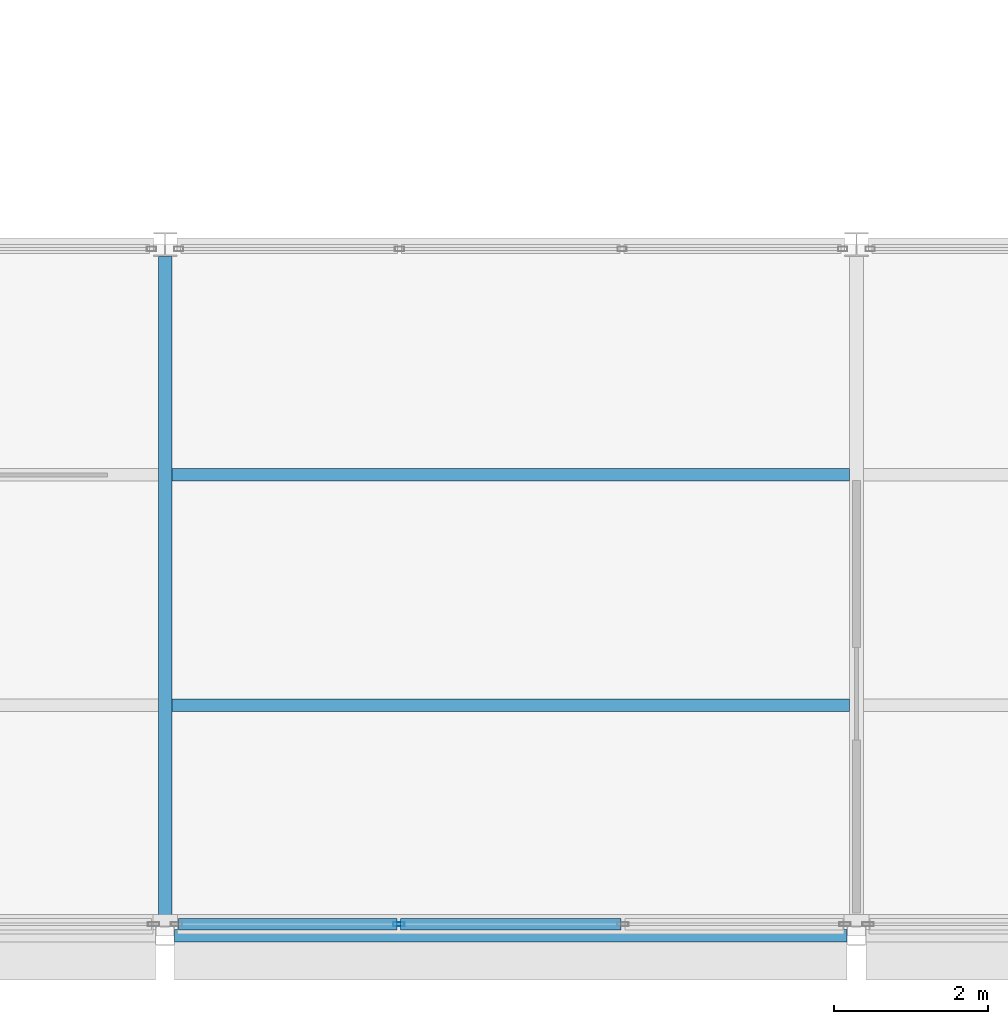
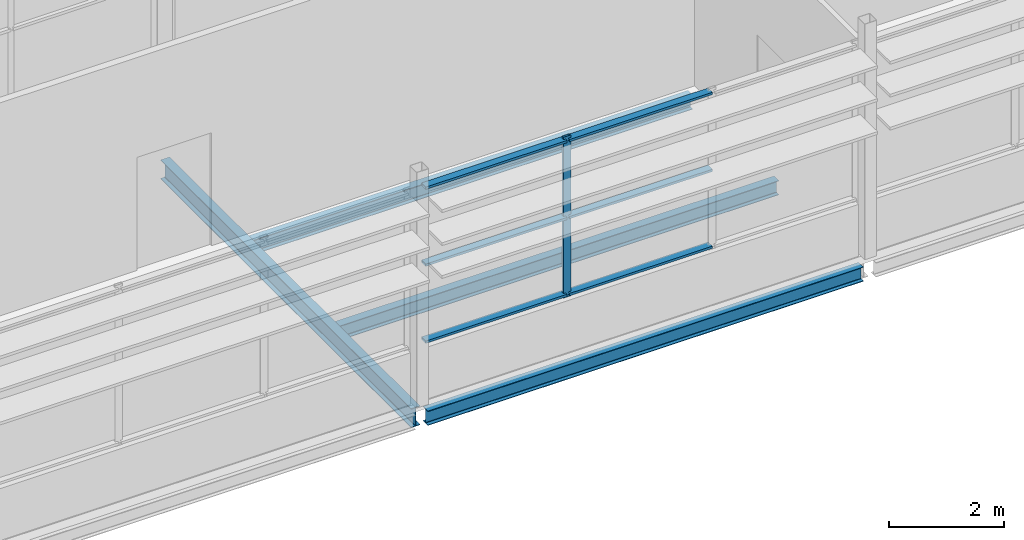
# One storey, part 16 of 94: 7 members, 4 beams, 1 element without a shape of its own.
"""IFC4 building model written with IfcOpenShell, lengths in metres."""

from ifc_helpers import new_model, si_unit, direction, frame, origin, origin_2d, place, context, subcontext, project, spatial, hollow_rectangle, i_section, extrude, material, layer, layer_set, material_profile, profile_set, type_object, element, aggregate, save


model = new_model("IFC4")

# Units and contexts
model_context = context("Model", 3, precision=1e-05, world=origin(), true_north=direction((0.0, 1.0)))
body_context = subcontext(model_context, "Body", "Model", "MODEL_VIEW")
ifc_project = project(units=[si_unit("LENGTHUNIT", "METRE"), si_unit("AREAUNIT", "SQUARE_METRE"), si_unit("VOLUMEUNIT", "CUBIC_METRE"), si_unit("PLANEANGLEUNIT", "RADIAN"), si_unit("MASSUNIT", "GRAM", prefix="KILO")], contexts=[model_context])

# Site, building, storey
site_placement = place(None, origin())
site = spatial("IfcSite", under=ifc_project, at=site_placement, CompositionType="ELEMENT")
building_placement = place(site_placement, origin())
building = spatial("IfcBuilding", under=site, at=building_placement, Name="Shorebreak Coast Museum", CompositionType="ELEMENT")
storey_placement = place(building_placement, frame((0.0, 0.0, 31.0)))
storey = spatial("IfcBuildingStorey", under=building, at=storey_placement, Name="L05", CompositionType="ELEMENT", Elevation=31.0)

# Beams
ifc_material_1 = material(Name="Steel Grade 300", Category="steel")
ifc_material_profile_1 = material_profile(ifc_material_1, i_section(OverallWidth=0.166015625, OverallDepth=0.30712890625, WebThickness=0.006591796875, FlangeThickness=0.01171875, FilletRadius=0.011474609375, at=origin_2d()), Name="310UB46.2")
ifc_profile_set_1 = profile_set([ifc_material_profile_1], Name="Steel Grade 300")
beam_type_1 = type_object("IfcBeamType", Name="Floor girder east-west 310UB46.2", PredefinedType="BEAM", material=ifc_profile_set_1)
beam_1_placement = place(storey_placement, frame((81.125, 54.0, -0.32861328125), z_axis=(1.0, 0.0, 0.0), x_axis=(0.0, 1.0, 0.0)))
element("IfcBeam", 1, at=beam_1_placement, inside=storey, type_object=beam_type_1, Name="Floor girder east-west L05 10G", PredefinedType="BEAM", context=body_context, shape_type="SweptSolid", body=[
    extrude(i_section(OverallWidth=0.166015625, OverallDepth=0.30712890625, WebThickness=0.006591796875, FlangeThickness=0.01171875, FilletRadius=0.011474609375, at=origin_2d()), origin(), (0.0, 0.0, 1.0), 8.75),
])
ifc_material_2 = material(Name="Steel Grade 300", Category="steel")
ifc_material_profile_2 = material_profile(ifc_material_2, i_section(OverallWidth=0.177978515625, OverallDepth=0.406494140625, WebThickness=0.0078125, FlangeThickness=0.0126953125, FilletRadius=0.011474609375, at=origin_2d()), Name="410UB59.7")
ifc_profile_set_2 = profile_set([ifc_material_profile_2], Name="Steel Grade 300")
beam_type_2 = type_object("IfcBeamType", Name="Floor girder north-south 410UB59.7", PredefinedType="BEAM", material=ifc_profile_set_2)
beam_2_placement = place(storey_placement, frame((81.0, 54.125, -0.378173828125), z_axis=(0.0, 1.0, 0.0), x_axis=(-1.0, 0.0, 0.0)))
element("IfcBeam", 2, at=beam_2_placement, inside=storey, type_object=beam_type_2, Name="Floor girder north-south L05 10G", PredefinedType="BEAM", context=body_context, shape_type="SweptSolid", body=[
    extrude(i_section(OverallWidth=0.177978515625, OverallDepth=0.406494140625, WebThickness=0.0078125, FlangeThickness=0.0126953125, FilletRadius=0.011474609375, at=origin_2d()), origin(), (0.0, 0.0, 1.0), 8.7177734375),
])
ifc_material_3 = material(Name="Steel Grade 300", Category="steel")
ifc_material_profile_3 = material_profile(ifc_material_3, i_section(OverallWidth=0.1650390625, OverallDepth=0.303955078125, WebThickness=0.006103515625, FlangeThickness=0.01025390625, FilletRadius=0.011474609375, at=origin_2d()), Name="310UB40.4")
ifc_profile_set_3 = profile_set([ifc_material_profile_3], Name="Steel Grade 300")
beam_type_3 = type_object("IfcBeamType", Name="Floor joist 310UB40.4", PredefinedType="JOIST", material=ifc_profile_set_3)
for number, where, z_axis, x_axis, name in (
    (3, (81.089111328125, 57.0, -0.326904296875), (1.0, 0.0, 0.0), (0.0, 1.0, 0.0), "Floor joist L05 bay 10G at 3000 mm"),
    (4, (81.089111328125, 60.0, -0.326904296875), (1.0, 0.0, 0.0), (0.0, 1.0, 0.0), "Floor joist L05 bay 10G at 6000 mm"),
):
    element("IfcBeam", number, at=place(storey_placement, frame(where, z_axis=z_axis, x_axis=x_axis)), inside=storey, type_object=beam_type_3, Name=name, PredefinedType="JOIST", context=body_context, shape_type="SweptSolid", body=[
        extrude(i_section(OverallWidth=0.1650390625, OverallDepth=0.303955078125, WebThickness=0.006103515625, FlangeThickness=0.01025390625, FilletRadius=0.011474609375, at=origin_2d()), origin(), (0.0, 0.0, 1.0), 8.82177734375),
    ])

# Curtain wall, members
ifc_material_4 = material(Name="Aluminium", Category="aluminium")
ifc_layer = layer(ifc_material_4, 0.14990234375)
ifc_layer_set = layer_set([ifc_layer], Name="Aluminium")
curtain_wall_type = type_object("IfcCurtainWallType", Name="Storefront curtain wall", PredefinedType="NOTDEFINED", material=ifc_layer_set)
curtain_wall_placement = place(storey_placement, origin())
curtain_wall = element("IfcCurtainWall", 5, at=curtain_wall_placement, inside=storey, type_object=curtain_wall_type, Name="Atrium Hall glazing L05 S 15", PredefinedType="NOTDEFINED")
ifc_material_5 = material(Name="Aluminium", Category="aluminium")
ifc_material_profile_4 = material_profile(ifc_material_5, hollow_rectangle(XDim=0.050048828125, YDim=0.14990234375, WallThickness=0.00390625, at=origin_2d()), Name="AL 150x50 RHS")
ifc_profile_set_4 = profile_set([ifc_material_profile_4], Name="Aluminium")
member_type_1 = type_object("IfcMemberType", Name="Storefront mullion 50 x 150", PredefinedType="MULLION", material=ifc_profile_set_4)
member_1_placement = place(storey_placement, frame((84.041748046875, 54.14990234375, 1.10009765625), z_axis=(0.0, 0.0, 1.0), x_axis=(0.0, 1.0, 0.0)))
member_1 = element("IfcMember", 6, at=member_1_placement, type_object=member_type_1, Name="CW5 mullion 2", PredefinedType="MULLION", context=body_context, shape_type="SweptSolid", body=[
    extrude(hollow_rectangle(XDim=0.050048828125, YDim=0.14990234375, WallThickness=0.00390625, at=origin_2d()), origin(), (0.0, 0.0, 1.0), 3.417724609375),
])
ifc_material_6 = material(Name="Aluminium", Category="aluminium")
ifc_material_profile_5 = material_profile(ifc_material_6, hollow_rectangle(XDim=0.14990234375, YDim=0.050048828125, WallThickness=0.00390625, at=origin_2d()), Name="AL 50x150 RHS")
ifc_profile_set_5 = profile_set([ifc_material_profile_5], Name="Aluminium")
member_type_2 = type_object("IfcMemberType", Name="Storefront transom 150 x 50", PredefinedType="USERDEFINED", material=ifc_profile_set_5)
member_2_placement = place(storey_placement, frame((81.175048828125, 54.14990234375, 1.175048828125), z_axis=(1.0, 0.0, 0.0), x_axis=(0.0, 1.0, 0.0)))
member_2 = element("IfcMember", 7, at=member_2_placement, type_object=member_type_2, Name="CW5 transom 1.1", ObjectType="TRANSOM", PredefinedType="USERDEFINED", context=body_context, shape_type="SweptSolid", body=[
    extrude(hollow_rectangle(XDim=0.14990234375, YDim=0.050048828125, WallThickness=0.00390625, at=origin_2d()), origin(), (0.0, 0.0, 1.0), 2.841552734375),
])
member_3_placement = place(storey_placement, frame((81.175048828125, 54.14990234375, 2.808837890625), z_axis=(1.0, 0.0, 0.0), x_axis=(0.0, 1.0, 0.0)))
member_3 = element("IfcMember", 8, at=member_3_placement, type_object=member_type_2, Name="CW5 transom 1.2", ObjectType="TRANSOM", PredefinedType="USERDEFINED", context=body_context, shape_type="SweptSolid", body=[
    extrude(hollow_rectangle(XDim=0.14990234375, YDim=0.050048828125, WallThickness=0.00390625, at=origin_2d()), origin(), (0.0, 0.0, 1.0), 2.841552734375),
])
member_4_placement = place(storey_placement, frame((81.175048828125, 54.14990234375, 4.44287109375), z_axis=(1.0, 0.0, 0.0), x_axis=(0.0, 1.0, 0.0)))
member_4 = element("IfcMember", 9, at=member_4_placement, type_object=member_type_2, Name="CW5 transom 1.3", ObjectType="TRANSOM", PredefinedType="USERDEFINED", context=body_context, shape_type="SweptSolid", body=[
    extrude(hollow_rectangle(XDim=0.14990234375, YDim=0.050048828125, WallThickness=0.00390625, at=origin_2d()), origin(), (0.0, 0.0, 1.0), 2.841552734375),
])
member_5_placement = place(storey_placement, frame((84.066650390625, 54.14990234375, 1.175048828125), z_axis=(1.0, 0.0, 0.0), x_axis=(0.0, 1.0, 0.0)))
member_5 = element("IfcMember", 10, at=member_5_placement, type_object=member_type_2, Name="CW5 transom 2.1", ObjectType="TRANSOM", PredefinedType="USERDEFINED", context=body_context, shape_type="SweptSolid", body=[
    extrude(hollow_rectangle(XDim=0.14990234375, YDim=0.050048828125, WallThickness=0.00390625, at=origin_2d()), origin(), (0.0, 0.0, 1.0), 2.86669921875),
])
member_6_placement = place(storey_placement, frame((84.066650390625, 54.14990234375, 2.808837890625), z_axis=(1.0, 0.0, 0.0), x_axis=(0.0, 1.0, 0.0)))
member_6 = element("IfcMember", 11, at=member_6_placement, type_object=member_type_2, Name="CW5 transom 2.2", ObjectType="TRANSOM", PredefinedType="USERDEFINED", context=body_context, shape_type="SweptSolid", body=[
    extrude(hollow_rectangle(XDim=0.14990234375, YDim=0.050048828125, WallThickness=0.00390625, at=origin_2d()), origin(), (0.0, 0.0, 1.0), 2.86669921875),
])
member_7_placement = place(storey_placement, frame((84.066650390625, 54.14990234375, 4.44287109375), z_axis=(1.0, 0.0, 0.0), x_axis=(0.0, 1.0, 0.0)))
member_7 = element("IfcMember", 12, at=member_7_placement, type_object=member_type_2, Name="CW5 transom 2.3", ObjectType="TRANSOM", PredefinedType="USERDEFINED", context=body_context, shape_type="SweptSolid", body=[
    extrude(hollow_rectangle(XDim=0.14990234375, YDim=0.050048828125, WallThickness=0.00390625, at=origin_2d()), origin(), (0.0, 0.0, 1.0), 2.86669921875),
])
aggregate(curtain_wall, [member_1, member_2, member_3, member_4, member_5, member_6, member_7])

save(model, "model.ifc")
